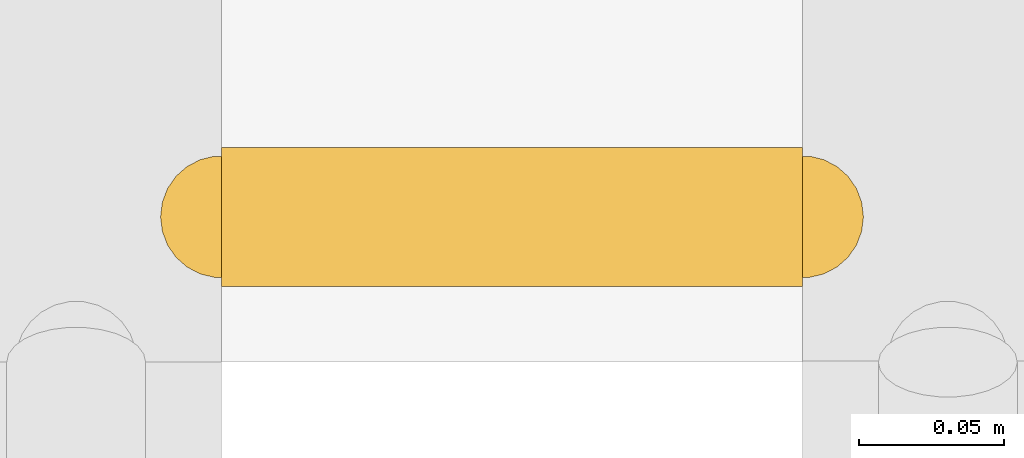
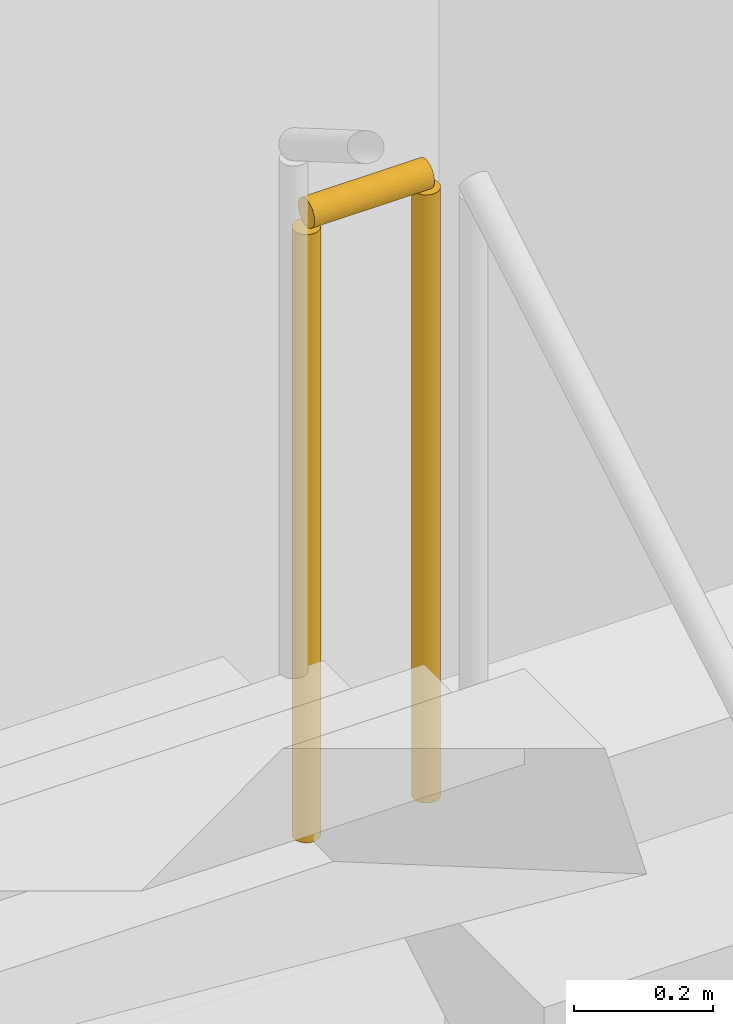
# One storey, part 90 of 94: 1 railing.
"""IFC4 building model written with IfcOpenShell, lengths in metres."""

from ifc_helpers import new_model, si_unit, direction, frame, origin, origin_2d, place, context, subcontext, project, spatial, circle, extrude, material, type_object, element, save


model = new_model("IFC4")

# Units and contexts
model_context = context("Model", 3, precision=1e-05, world=origin(), true_north=direction((0.0, 1.0)))
body_context = subcontext(model_context, "Body", "Model", "MODEL_VIEW")
ifc_project = project(units=[si_unit("LENGTHUNIT", "METRE"), si_unit("AREAUNIT", "SQUARE_METRE"), si_unit("VOLUMEUNIT", "CUBIC_METRE"), si_unit("PLANEANGLEUNIT", "RADIAN"), si_unit("MASSUNIT", "GRAM", prefix="KILO")], contexts=[model_context])

# Site, building, storey
site_placement = place(None, origin())
site = spatial("IfcSite", under=ifc_project, at=site_placement, CompositionType="ELEMENT")
building_placement = place(site_placement, origin())
building = spatial("IfcBuilding", under=site, at=building_placement, Name="Sollismere Congress Hotel", CompositionType="ELEMENT")
storey_placement = place(building_placement, origin())
storey = spatial("IfcBuildingStorey", under=building, at=storey_placement, Name="L00", CompositionType="ELEMENT", Elevation=0.0)

# Railing
ifc_material = material(Name="Steel ASTM A500 Grade C", Category="steel")
railing_type = type_object("IfcRailingType", Name="RL-GRD112", PredefinedType="GUARDRAIL", material=ifc_material)
railing_placement = place(storey_placement, frame((15.14990234375, 62.85009765625, 2.699951171875)))
element("IfcRailing", 1, at=railing_placement, inside=storey, type_object=railing_type, Name="RLG-RG-ST-05-L00-2", PredefinedType="GUARDRAIL", context=body_context, shape_type="SweptSolid", body=[
    extrude(circle(Radius=0.02392578125, at=origin_2d()), frame((0.0, 0.0, 1.09619140625), z_axis=(-1.0, 0.0, 0.0), x_axis=(0.0, -1.0, 0.0)), (0.0, 0.0, 1.0), 0.199951171875),
    extrude(circle(Radius=0.02099609375, at=origin_2d()), origin(), (0.0, 0.0, 1.0), 1.072021484375),
    extrude(circle(Radius=0.02099609375, at=origin_2d()), frame((-0.199951171875, 0.0, 0.0)), (0.0, 0.0, 1.0), 1.072021484375),
])

save(model, "model.ifc")
